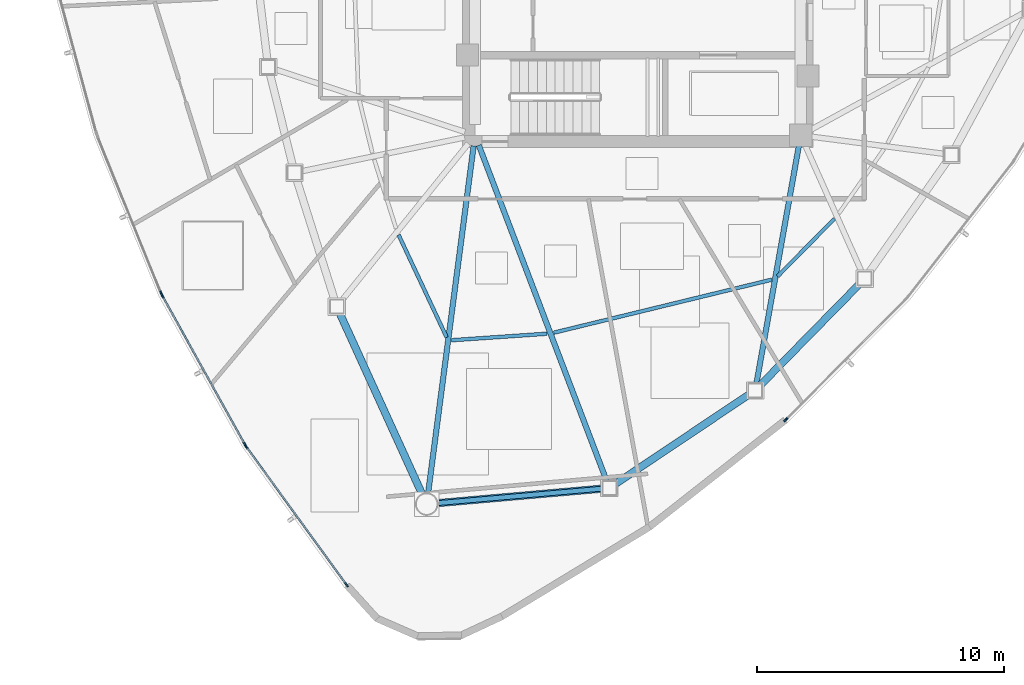
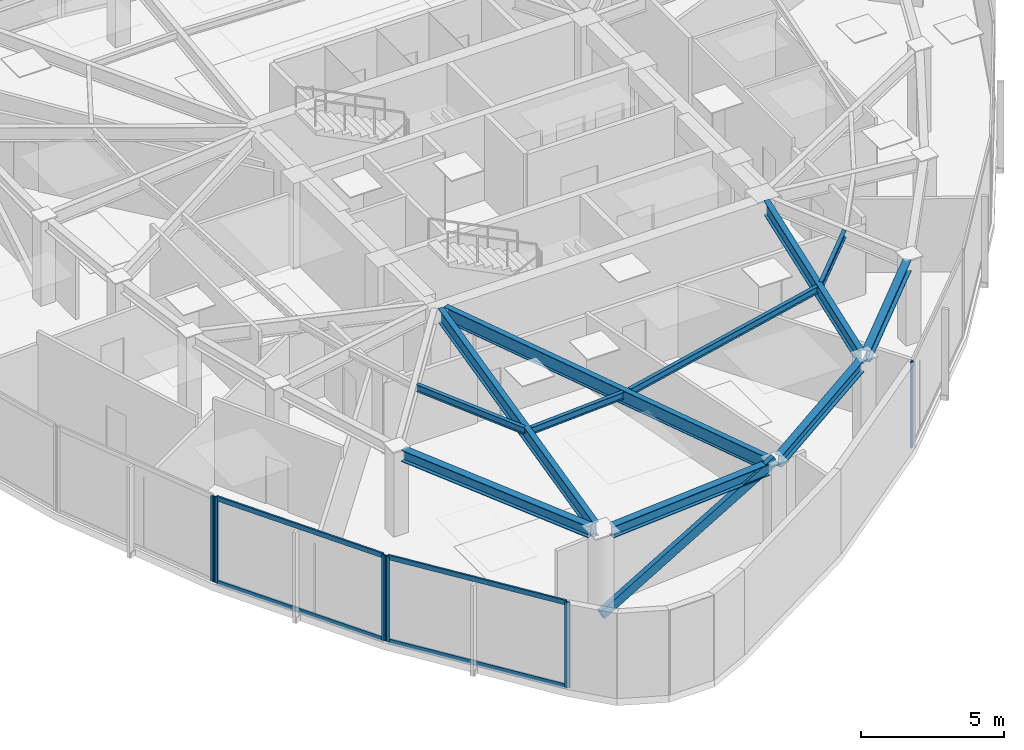
# One storey, part 2 of 13: 11 beams, 11 members, 4 elements without a shape of their own.
"""IFC4 building model written with IfcOpenShell, lengths in metres."""

from ifc_helpers import new_model, si_unit, direction, frame, origin, origin_2d, place, context, subcontext, project, spatial, hollow_rectangle, i_section, extrude, source, transform, mapped, material, layer, layer_set, material_profile, profile_set, type_object, type_shapes, element, aggregate, save


model = new_model("IFC4")

# Units and contexts
model_context = context("Model", 3, precision=1e-05, world=origin(), true_north=direction((0.0, 1.0)))
body_context = subcontext(model_context, "Body", "Model", "MODEL_VIEW")
ifc_project = project(units=[si_unit("LENGTHUNIT", "METRE"), si_unit("AREAUNIT", "SQUARE_METRE"), si_unit("VOLUMEUNIT", "CUBIC_METRE"), si_unit("PLANEANGLEUNIT", "RADIAN"), si_unit("MASSUNIT", "GRAM", prefix="KILO")], contexts=[model_context])

# Site, building, storey
site_placement = place(None, origin())
site = spatial("IfcSite", under=ifc_project, at=site_placement, CompositionType="ELEMENT")
building_placement = place(site_placement, origin())
building = spatial("IfcBuilding", under=site, at=building_placement, Name="Tavelor Broadcast Tower", CompositionType="ELEMENT")
storey_placement = place(building_placement, frame((0.0, 0.0, 245.85009765625)))
storey = spatial("IfcBuildingStorey", under=building, at=storey_placement, Name="L58", CompositionType="ELEMENT", Elevation=245.85009765625)

# Beams
ifc_material_1 = material(Name="Steel S355", Category="steel")
ifc_material_profile_1 = material_profile(ifc_material_1, i_section(OverallWidth=0.14990234375, OverallDepth=0.300048828125, WebThickness=0.007080078125, FlangeThickness=0.0107421875, at=origin_2d()), Name="IPE 300")
ifc_profile_set_1 = profile_set([ifc_material_profile_1], Name="Steel S355")
beam_type_1 = type_object("IfcBeamType", Name="Composite Floor Joist T5 IPE 300", PredefinedType="JOIST", material=ifc_profile_set_1)
beam_1_placement = place(storey_placement, frame((40.303466796875, 34.76123046875, 3.5), z_axis=(0.424747696097, -0.905311766553, 0.0), x_axis=(0.905311766553, 0.424747696097, 0.0)))
element("IfcBeam", 1, at=beam_1_placement, inside=storey, type_object=beam_type_1, Name="L58 Secondary Composite Floor Joist 06", PredefinedType="JOIST", context=body_context, shape_type="SweptSolid", body=[
    extrude(i_section(OverallWidth=0.14990234375, OverallDepth=0.300048828125, WebThickness=0.007080078125, FlangeThickness=0.0107421875, at=origin_2d()), origin(), (0.0, 0.0, 1.0), 4.583984375),
])
beam_2_placement = place(storey_placement, frame((42.44873046875, 30.49462890625, 3.5), z_axis=(0.997688348821, 0.067955563618, 0.0), x_axis=(-0.067955563618, 0.997688348821, 0.0)))
element("IfcBeam", 2, at=beam_2_placement, inside=storey, type_object=beam_type_1, Name="L58 Secondary Composite Floor Joist 07", PredefinedType="JOIST", context=body_context, shape_type="SweptSolid", body=[
    extrude(i_section(OverallWidth=0.14990234375, OverallDepth=0.300048828125, WebThickness=0.007080078125, FlangeThickness=0.0107421875, at=origin_2d()), origin(), (0.0, 0.0, 1.0), 3.880126953125),
])
beam_3_placement = place(storey_placement, frame((46.59423828125, 30.80078125, 3.5), z_axis=(0.971661934331, 0.236374883124, 0.0), x_axis=(-0.236374883124, 0.971661934331, 0.0)))
element("IfcBeam", 3, at=beam_3_placement, inside=storey, type_object=beam_type_1, Name="L58 Secondary Composite Floor Joist 08", PredefinedType="JOIST", context=body_context, shape_type="SweptSolid", body=[
    extrude(i_section(OverallWidth=0.14990234375, OverallDepth=0.300048828125, WebThickness=0.007080078125, FlangeThickness=0.0107421875, at=origin_2d()), origin(), (0.0, 0.0, 1.0), 9.089111328125),
])
beam_4_placement = place(storey_placement, frame((55.6591796875, 33.081298828125, 3.5), z_axis=(0.702295555333, 0.711885491465, 0.0), x_axis=(-0.711885491465, 0.702295555333, 0.0)))
element("IfcBeam", 4, at=beam_4_placement, inside=storey, type_object=beam_type_1, Name="L58 Secondary Composite Floor Joist 09", PredefinedType="JOIST", context=body_context, shape_type="SweptSolid", body=[
    extrude(i_section(OverallWidth=0.14990234375, OverallDepth=0.300048828125, WebThickness=0.007080078125, FlangeThickness=0.0107421875, at=origin_2d()), origin(), (0.0, 0.0, 1.0), 3.2841796875),
])
ifc_material_profile_2 = material_profile(ifc_material_1, i_section(OverallWidth=0.300048828125, OverallDepth=0.489990234375, WebThickness=0.011962890625, FlangeThickness=0.02294921875, at=origin_2d()), Name="HEA 500")
ifc_profile_set_2 = profile_set([ifc_material_profile_2], Name="Steel S355")
beam_type_2 = type_object("IfcBeamType", Name="Perimeter Spandrel Beam T5 HEA 500", PredefinedType="SPANDREL", material=ifc_profile_set_2)
beam_5_placement = place(storey_placement, frame((37.91650390625, 31.59130859375, 3.40478515625), z_axis=(0.414437010202, -0.910077999171, 0.0), x_axis=(0.910077999171, 0.414437010202, 0.0)))
element("IfcBeam", 5, at=beam_5_placement, inside=storey, type_object=beam_type_2, Name="L58 Framed-Tube Ring Spandrel 06", PredefinedType="SPANDREL", context=body_context, shape_type="SweptSolid", body=[
    extrude(i_section(OverallWidth=0.300048828125, OverallDepth=0.489990234375, WebThickness=0.011962890625, FlangeThickness=0.02294921875, at=origin_2d()), origin(), (0.0, 0.0, 1.0), 8.0634765625),
])
beam_6_placement = place(storey_placement, frame((41.877197265625, 23.89208984375, 3.40478515625), z_axis=(0.996152506101, 0.087636662361, 0.0), x_axis=(-0.087636662361, 0.996152506101, 0.0)))
element("IfcBeam", 6, at=beam_6_placement, inside=storey, type_object=beam_type_2, Name="L58 Framed-Tube Ring Spandrel 07", PredefinedType="SPANDREL", context=body_context, shape_type="SweptSolid", body=[
    extrude(i_section(OverallWidth=0.300048828125, OverallDepth=0.489990234375, WebThickness=0.011962890625, FlangeThickness=0.02294921875, at=origin_2d()), origin(), (0.0, 0.0, 1.0), 6.70556640625),
])
beam_7_placement = place(storey_placement, frame((49.083251953125, 24.665283203125, 3.40478515625), z_axis=(0.830979943124, 0.556302376523, 0.0), x_axis=(-0.556302376523, 0.830979943124, 0.0)))
element("IfcBeam", 7, at=beam_7_placement, inside=storey, type_object=beam_type_2, Name="L58 Framed-Tube Ring Spandrel 08", PredefinedType="SPANDREL", context=body_context, shape_type="SweptSolid", body=[
    extrude(i_section(OverallWidth=0.300048828125, OverallDepth=0.489990234375, WebThickness=0.011962890625, FlangeThickness=0.02294921875, at=origin_2d()), origin(), (0.0, 0.0, 1.0), 6.536376953125),
])
beam_8_placement = place(storey_placement, frame((54.955810546875, 28.667236328125, 3.40478515625), z_axis=(0.70018873327, 0.713957798334, 0.0), x_axis=(-0.713957798334, 0.70018873327, 0.0)))
element("IfcBeam", 8, at=beam_8_placement, inside=storey, type_object=beam_type_2, Name="L58 Framed-Tube Ring Spandrel 09", PredefinedType="SPANDREL", context=body_context, shape_type="SweptSolid", body=[
    extrude(i_section(OverallWidth=0.300048828125, OverallDepth=0.489990234375, WebThickness=0.011962890625, FlangeThickness=0.02294921875, at=origin_2d()), origin(), (0.0, 0.0, 1.0), 5.7626953125),
])

# Member
ifc_material_profile_3 = material_profile(ifc_material_1, hollow_rectangle(XDim=0.199951171875, YDim=0.39990234375, WallThickness=0.01611328125, at=origin_2d()), Name="RHS 400x200x16")
ifc_profile_set_3 = profile_set([ifc_material_profile_3], Name="Steel S355")
member_type_1 = type_object("IfcMemberType", Name="Perimeter Tube Brace T5 RHS 400x200x16", PredefinedType="BRACE", material=ifc_profile_set_3)
member_1_placement = place(storey_placement, frame((41.440185546875, 23.853759765625, 0.0), z_axis=(0.894155458176, 0.07863591001, 0.440797470808), x_axis=(-0.087606208465, 0.996155184817, 0.0)))
element("IfcMember", 9, at=member_1_placement, inside=storey, type_object=member_type_1, Name="L58 Corner Tube Diagonal Brace 2", PredefinedType="BRACE", context=body_context, shape_type="SweptSolid", body=[
    extrude(hollow_rectangle(XDim=0.199951171875, YDim=0.39990234375, WallThickness=0.01611328125, at=origin_2d()), origin(), (0.0, 0.0, 1.0), 8.2802734375),
])

# Beams
ifc_material_profile_4 = material_profile(ifc_material_1, i_section(OverallWidth=0.219970703125, OverallDepth=0.60009765625, WebThickness=0.011962890625, FlangeThickness=0.01904296875, at=origin_2d()), Name="IPE 600")
ifc_profile_set_4 = profile_set([ifc_material_profile_4], Name="Steel S355")
beam_type_3 = type_object("IfcBeamType", Name="Radial Floor Girder T5 IPE 600", PredefinedType="BEAM", material=ifc_profile_set_4)
beam_9_placement = place(storey_placement, frame((43.34375, 38.37158203125, 3.349853515625), z_axis=(-0.130000517012, -0.991513926063, 0.0), x_axis=(0.991513926063, -0.130000517012, 0.0)))
element("IfcBeam", 10, at=beam_9_placement, inside=storey, type_object=beam_type_3, Name="L58 Radial Primary Floor Girder 07", PredefinedType="BEAM", context=body_context, shape_type="SweptSolid", body=[
    extrude(i_section(OverallWidth=0.219970703125, OverallDepth=0.60009765625, WebThickness=0.011962890625, FlangeThickness=0.01904296875, at=origin_2d()), origin(), (0.0, 0.0, 1.0), 14.203369140625),
])
beam_10_placement = place(storey_placement, frame((43.5537109375, 38.396240234375, 3.349853515625), z_axis=(0.355898513414, -0.934524610778, 0.0), x_axis=(0.934524610778, 0.355898513414, 0.0)))
element("IfcBeam", 11, at=beam_10_placement, inside=storey, type_object=beam_type_3, Name="L58 Radial Primary Floor Girder 08", PredefinedType="BEAM", context=body_context, shape_type="SweptSolid", body=[
    extrude(i_section(OverallWidth=0.219970703125, OverallDepth=0.60009765625, WebThickness=0.011962890625, FlangeThickness=0.01904296875, at=origin_2d()), origin(), (0.0, 0.0, 1.0), 14.576416015625),
])
beam_11_placement = place(storey_placement, frame((56.524169921875, 38.374755859375, 3.349853515625), z_axis=(-0.175781136437, -0.984429272255, 0.0), x_axis=(0.984429272255, -0.175781136437, 0.0)))
element("IfcBeam", 12, at=beam_11_placement, inside=storey, type_object=beam_type_3, Name="L58 Radial Primary Floor Girder 09", PredefinedType="BEAM", context=body_context, shape_type="SweptSolid", body=[
    extrude(i_section(OverallWidth=0.219970703125, OverallDepth=0.60009765625, WebThickness=0.011962890625, FlangeThickness=0.01904296875, at=origin_2d()), origin(), (0.0, 0.0, 1.0), 9.781982421875),
])

# Curtain wall, member
ifc_material_2 = material(Name="Architectural Anodized Aluminium", Category="aluminium")
ifc_layer = layer(ifc_material_2, 0.199951171875)
ifc_layer_set = layer_set([ifc_layer], Name="Architectural Anodized Aluminium")
curtain_wall_type = type_object("IfcCurtainWallType", Name="Tower High-Zone Triple-Glazed Curtain Wall CW04", PredefinedType="NOTDEFINED", material=ifc_layer_set)
curtain_wall_1_placement = place(storey_placement, origin())
curtain_wall_1 = element("IfcCurtainWall", 13, at=curtain_wall_1_placement, inside=storey, type_object=curtain_wall_type, Name="L58 Curtain Wall CW04 Run 626", PredefinedType="NOTDEFINED")
ifc_material_profile_5 = material_profile(ifc_material_2, hollow_rectangle(XDim=0.070068359375, YDim=0.199951171875, WallThickness=0.02197265625, at=origin_2d()), Name="RHS 70x200x22")
ifc_profile_set_5 = profile_set([ifc_material_profile_5], Name="Architectural Anodized Aluminium")
member_type_2 = type_object("IfcMemberType", Name="CW04 Extruded Aluminium Mullion 70x200", PredefinedType="MULLION", material=ifc_profile_set_5)
shared_shape_1 = source(origin(), body_context, "Body", "SweptSolid", [
    extrude(hollow_rectangle(XDim=0.070068359375, YDim=0.199951171875, WallThickness=0.02197265625, at=origin_2d()), origin(), (0.0, 0.0, 1.0), 3.64990234375),
])
type_shapes(member_type_2, [shared_shape_1])
member_2_placement = place(storey_placement, frame((30.683349609375, 32.39111328125, 0.0), z_axis=(0.0, 0.0, 1.0), x_axis=(0.926692007351, 0.375821664505, 0.0)))
member_2 = element("IfcMember", 14, at=member_2_placement, type_object=member_type_2, Name="CW04 mullion 2", PredefinedType="MULLION", context=body_context, shape_type="MappedRepresentation", body=[
    mapped(shared_shape_1, transform((0.0, 0.0, 0.0), scale=1.0)),
])
aggregate(curtain_wall_1, [member_2])

# Curtain wall, members
curtain_wall_2_placement = place(storey_placement, origin())
curtain_wall_2 = element("IfcCurtainWall", 15, at=curtain_wall_2_placement, inside=storey, type_object=curtain_wall_type, Name="L58 Curtain Wall CW04 Run 627", PredefinedType="NOTDEFINED")
member_3_placement = place(storey_placement, frame((30.726318359375, 32.301025390625, 0.0), z_axis=(0.0, 0.0, 1.0), x_axis=(0.874400788813, 0.485204349241, 0.0)))
member_3 = element("IfcMember", 16, at=member_3_placement, type_object=member_type_2, Name="CW04 mullion 1", PredefinedType="MULLION", context=body_context, shape_type="MappedRepresentation", body=[
    mapped(shared_shape_1, transform((0.0, 0.0, 0.0), scale=1.0)),
])
member_4_placement = place(storey_placement, frame((34.07421875, 26.267333984375, 0.0), z_axis=(0.0, 0.0, 1.0), x_axis=(0.874400788813, 0.485204349241, 0.0)))
member_4 = element("IfcMember", 17, at=member_4_placement, type_object=member_type_2, Name="CW04 mullion 2", PredefinedType="MULLION", context=body_context, shape_type="MappedRepresentation", body=[
    mapped(shared_shape_1, transform((0.0, 0.0, 0.0), scale=1.0)),
])

curtain_wall_3_placement = place(storey_placement, origin())
curtain_wall_3 = element("IfcCurtainWall", 18, at=curtain_wall_3_placement, inside=storey, type_object=curtain_wall_type, Name="L58 Curtain Wall CW04 Run 628", PredefinedType="NOTDEFINED")
member_5_placement = place(storey_placement, frame((34.1279296875, 26.18310546875, 0.0), z_axis=(0.0, 0.0, 1.0), x_axis=(0.809255723494, 0.587456529449, 0.0)))
member_5 = element("IfcMember", 19, at=member_5_placement, type_object=member_type_2, Name="CW04 mullion 1", PredefinedType="MULLION", context=body_context, shape_type="MappedRepresentation", body=[
    mapped(shared_shape_1, transform((0.0, 0.0, 0.0), scale=1.0)),
])
member_6_placement = place(storey_placement, frame((38.19091796875, 20.58642578125, 0.0), z_axis=(0.0, 0.0, 1.0), x_axis=(0.809255723494, 0.587456529449, 0.0)))
member_6 = element("IfcMember", 20, at=member_6_placement, type_object=member_type_2, Name="CW04 mullion 2", PredefinedType="MULLION", context=body_context, shape_type="MappedRepresentation", body=[
    mapped(shared_shape_1, transform((0.0, 0.0, 0.0), scale=1.0)),
])

# Curtain wall, member
curtain_wall_4_placement = place(storey_placement, origin())
curtain_wall_4 = element("IfcCurtainWall", 21, at=curtain_wall_4_placement, inside=storey, type_object=curtain_wall_type, Name="L58 Curtain Wall CW04 Run 629", PredefinedType="NOTDEFINED")
member_7_placement = place(storey_placement, frame((55.991943359375, 27.275146484375, 0.0), z_axis=(0.0, 0.0, 1.0), x_axis=(-0.70865123895, 0.705558942636, 0.0)))
member_7 = element("IfcMember", 22, at=member_7_placement, type_object=member_type_2, Name="CW04 mullion 1", PredefinedType="MULLION", context=body_context, shape_type="MappedRepresentation", body=[
    mapped(shared_shape_1, transform((0.0, 0.0, 0.0), scale=1.0)),
])
aggregate(curtain_wall_4, [member_7])

# Member
ifc_material_profile_6 = material_profile(ifc_material_2, hollow_rectangle(XDim=0.070068359375, YDim=0.199951171875, WallThickness=0.02197265625, at=origin_2d()), Name="RHS 70x200x22")
ifc_profile_set_6 = profile_set([ifc_material_profile_6], Name="Architectural Anodized Aluminium")
member_type_3 = type_object("IfcMemberType", Name="CW04 Extruded Aluminium Transom 70x200", PredefinedType="USERDEFINED", material=ifc_profile_set_6)
shared_shape_2 = source(origin(), body_context, "Body", "SweptSolid", [
    extrude(hollow_rectangle(XDim=0.070068359375, YDim=0.199951171875, WallThickness=0.02197265625, at=origin_2d()), origin(), (0.0, 0.0, 1.0), 6.830322265625),
])
member_8_placement = place(storey_placement, frame((30.7431640625, 32.2705078125, 0.034912109375), z_axis=(0.485217998262, -0.874393214842, 0.0), x_axis=(0.874393214842, 0.485217998262, 0.0)))
member_8 = element("IfcMember", 23, at=member_8_placement, type_object=member_type_3, Name="CW04 transom 1.1", ObjectType="TRANSOM", PredefinedType="USERDEFINED", context=body_context, shape_type="MappedRepresentation", body=[
    mapped(shared_shape_2, transform((0.0, 0.0, 0.0), scale=1.0)),
])

member_9_placement = place(storey_placement, frame((30.7431640625, 32.2705078125, 3.614990234375), z_axis=(0.485217998262, -0.874393214842, 0.0), x_axis=(0.874393214842, 0.485217998262, 0.0)))
member_9 = element("IfcMember", 24, at=member_9_placement, type_object=member_type_3, Name="CW04 transom 1.2", ObjectType="TRANSOM", PredefinedType="USERDEFINED", context=body_context, shape_type="MappedRepresentation", body=[
    mapped(shared_shape_2, transform((0.0, 0.0, 0.0), scale=1.0)),
])

aggregate(curtain_wall_2, [member_3, member_4, member_8, member_9])

shared_shape_3 = source(origin(), body_context, "Body", "SweptSolid", [
    extrude(hollow_rectangle(XDim=0.070068359375, YDim=0.199951171875, WallThickness=0.02197265625, at=origin_2d()), origin(), (0.0, 0.0, 1.0), 6.845947265625),
])
type_shapes(member_type_3, [shared_shape_2, shared_shape_3])
member_10_placement = place(storey_placement, frame((34.1484375, 26.15478515625, 0.034912109375), z_axis=(0.587465359598, -0.809249313421, 0.0), x_axis=(0.809249313421, 0.587465359598, 0.0)))
member_10 = element("IfcMember", 25, at=member_10_placement, type_object=member_type_3, Name="CW04 transom 1.1", ObjectType="TRANSOM", PredefinedType="USERDEFINED", context=body_context, shape_type="MappedRepresentation", body=[
    mapped(shared_shape_3, transform((0.0, 0.0, 0.0), scale=1.0)),
])

member_11_placement = place(storey_placement, frame((34.1484375, 26.15478515625, 3.614990234375), z_axis=(0.587465359598, -0.809249313421, 0.0), x_axis=(0.809249313421, 0.587465359598, 0.0)))
member_11 = element("IfcMember", 26, at=member_11_placement, type_object=member_type_3, Name="CW04 transom 1.2", ObjectType="TRANSOM", PredefinedType="USERDEFINED", context=body_context, shape_type="MappedRepresentation", body=[
    mapped(shared_shape_3, transform((0.0, 0.0, 0.0), scale=1.0)),
])

aggregate(curtain_wall_3, [member_5, member_6, member_10, member_11])

save(model, "model.ifc")
